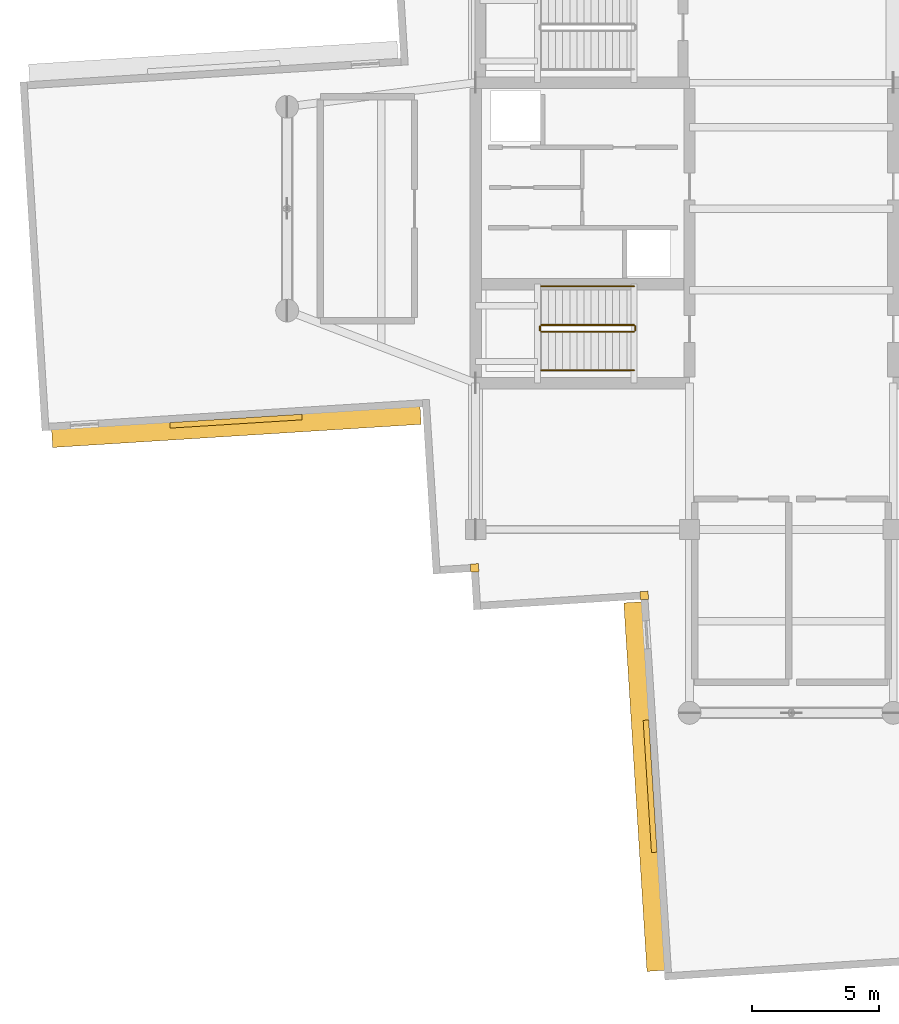
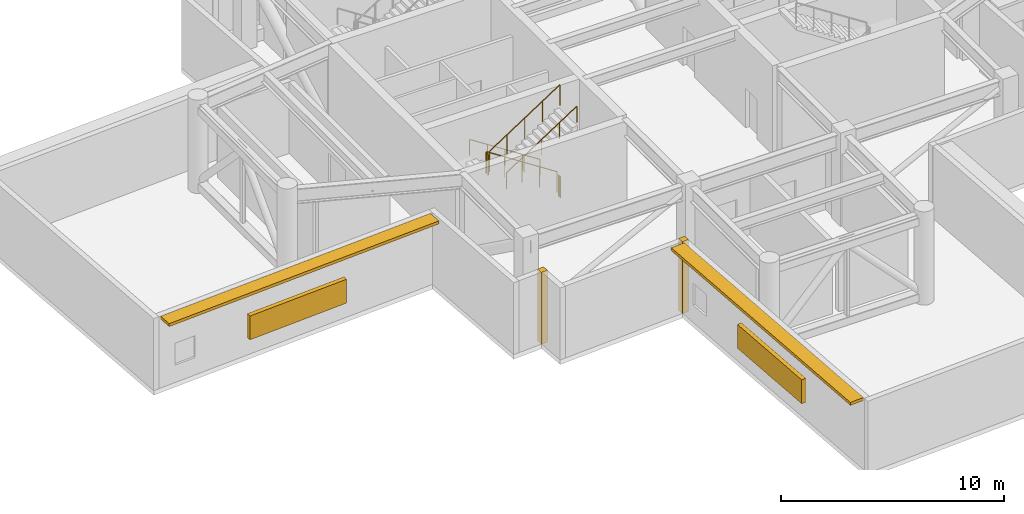
# One storey, part 11 of 14: 6 railings, 4 shading devices, 2 coverings.
"""IFC4 building model written with IfcOpenShell, lengths in metres."""

from ifc_helpers import new_model, si_unit, direction, frame, origin, origin_2d, place, context, subcontext, project, spatial, rectangle, circle, extrude, material, layer, layer_set, type_object, element, save


model = new_model("IFC4")

# Units and contexts
model_context = context("Model", 3, precision=1e-05, world=origin(), true_north=direction((0.0, 1.0)))
body_context = subcontext(model_context, "Body", "Model", "MODEL_VIEW")
ifc_project = project(units=[si_unit("LENGTHUNIT", "METRE"), si_unit("AREAUNIT", "SQUARE_METRE"), si_unit("VOLUMEUNIT", "CUBIC_METRE"), si_unit("PLANEANGLEUNIT", "RADIAN"), si_unit("MASSUNIT", "GRAM", prefix="KILO")], contexts=[model_context])

# Site, building, storey
site_placement = place(None, origin())
site = spatial("IfcSite", under=ifc_project, at=site_placement, CompositionType="ELEMENT")
building_placement = place(site_placement, origin())
building = spatial("IfcBuilding", under=site, at=building_placement, Name="Qingluan Cross Belvedere", CompositionType="ELEMENT")
storey_placement = place(building_placement, frame((0.0, 0.0, 288.89990234375)))
storey = spatial("IfcBuildingStorey", under=building, at=storey_placement, Name="L72", CompositionType="ELEMENT", Elevation=288.89990234375)

# Coverings
ifc_material_1 = material(Name="Precast concrete C45", Category="concrete")
ifc_layer_1 = layer(ifc_material_1, 0.1201171875, Name="ConcreteSpandrelCladding_120")
ifc_layer_set_1 = layer_set([ifc_layer_1], Name="Precast concrete C45")
covering_type = type_object("IfcCoveringType", Name="ConcreteSpandrelCladding_120", PredefinedType="CLADDING", material=ifc_layer_set_1)
for number, where, z_axis, x_axis, name in (
    (1, (-12.438720703125, -14.10888671875, 0.0), (0.0, 0.0, 1.0), (0.998026728428, 0.062790519529, 0.0), "Corner closure L72-SW1"),
    (2, (-5.77734375, -15.192626953125, 0.0), (0.0, 0.0, 1.0), (0.998026728428, 0.062790519529, 0.0), "Corner closure L72-SW2"),
):
    element("IfcCovering", number, at=place(storey_placement, frame(where, z_axis=z_axis, x_axis=x_axis)), inside=storey, type_object=covering_type, Name=name, PredefinedType="CLADDING", context=body_context, shape_type="SweptSolid", body=[
        extrude(rectangle(XDim=0.320068359375, YDim=0.320068359375, at=origin_2d()), origin(), (0.0, 0.0, 1.0), 3.929931640625),
    ])

# Shading devices
ifc_material_2 = material(Name="Precast concrete C45", Category="concrete")
ifc_layer_2 = layer(ifc_material_2, 0.139892578125, Name="ConcreteSunshadeBand_700")
ifc_layer_set_2 = layer_set([ifc_layer_2], Name="Precast concrete C45")
shading_device_type_1 = type_object("IfcShadingDeviceType", Name="ConcreteSunshadeBand_700", PredefinedType="USERDEFINED", material=ifc_layer_set_2)
for number, where, z_axis, x_axis, name in (
    (3, (-21.794677734375, -8.575439453125, 3.75), (0.0, 0.0, 1.0), (0.99802639199, 0.062795866837, 0.0), "Concrete SUNSHADE L72-WB"),
    (4, (-5.776123046875, -22.697509765625, 3.75), (0.0, 0.0, 1.0), (0.062789090939, -0.998026818306, 0.0), "Concrete SUNSHADE L72-SA"),
):
    element("IfcShadingDevice", number, at=place(storey_placement, frame(where, z_axis=z_axis, x_axis=x_axis)), inside=storey, type_object=shading_device_type_1, Name=name, ObjectType="SUNSHADE", PredefinedType="USERDEFINED", context=body_context, shape_type="SweptSolid", body=[
        extrude(rectangle(XDim=14.5, YDim=0.699951171875, at=origin_2d()), origin(), (0.0, 0.0, 1.0), 0.159912109375),
    ])
ifc_material_3 = material(Name="Anodised aluminium acoustic louvre screen", Category="aluminium")
ifc_layer_3 = layer(ifc_material_3, 0.219970703125, Name="RefugeAcousticLouvre_Screen")
ifc_layer_set_3 = layer_set([ifc_layer_3], Name="Anodised aluminium acoustic louvre screen")
shading_device_type_2 = type_object("IfcShadingDeviceType", Name="RefugeAcousticLouvre_Screen", PredefinedType="JALOUSIE", material=ifc_layer_set_3)
for number, where, z_axis, x_axis, name in (
    (5, (-21.80908203125, -8.345947265625, 0.9501953125), (0.0, 0.0, 1.0), (0.99802639199, 0.062795866837, 0.0), "Plant acoustic louvre SCREEN L72-WB"),
    (6, (-5.546630859375, -22.68310546875, 0.9501953125), (0.0, 0.0, 1.0), (0.062789090939, -0.998026818306, 0.0), "Plant acoustic louvre SCREEN L72-SA"),
):
    element("IfcShadingDevice", number, at=place(storey_placement, frame(where, z_axis=z_axis, x_axis=x_axis)), inside=storey, type_object=shading_device_type_2, Name=name, PredefinedType="JALOUSIE", context=body_context, shape_type="SweptSolid", body=[
        extrude(rectangle(XDim=5.199951171875, YDim=0.219970703125, at=origin_2d()), origin(), (0.0, 0.0, 1.0), 1.300048828125),
    ])

# Railings
ifc_material_4 = material(Name="Brushed stainless steel tubular handrail", Category="steel")
railing_type_1 = type_object("IfcRailingType", Name="StairPitchHandrail_900", PredefinedType="HANDRAIL", material=ifc_material_4)
railing_1_placement = place(storey_placement, frame((-6.179931640625, -3.050048828125, 0.18212890625)))
element("IfcRailing", 7, at=railing_1_placement, inside=storey, type_object=railing_type_1, Name="L72 ST1 stair handrail 1", PredefinedType="HANDRAIL", context=body_context, shape_type="SweptSolid", body=[
    extrude(circle(Radius=0.02392578125, at=origin_2d()), frame((0.0, 0.0, 0.8759765625), z_axis=(-0.83825089185, 0.0, 0.545284735081), x_axis=(0.0, -1.0, 0.0)), (0.0, 0.0, 1.0), 4.342529296875),
    extrude(circle(Radius=0.02099609375, at=origin_2d()), origin(), (0.0, 0.0, 1.0), 0.851806640625),
    extrude(circle(Radius=0.02099609375, at=origin_2d()), frame((-0.91015625, 0.0, 0.592041015625)), (0.0, 0.0, 1.0), 0.851806640625),
    extrude(circle(Radius=0.02099609375, at=origin_2d()), frame((-1.820068359375, 0.0, 1.18408203125)), (0.0, 0.0, 1.0), 0.851806640625),
    extrude(circle(Radius=0.02099609375, at=origin_2d()), frame((-2.72998046875, 0.0, 1.77587890625)), (0.0, 0.0, 1.0), 0.851806640625),
    extrude(circle(Radius=0.02099609375, at=origin_2d()), frame((-3.64013671875, 0.0, 2.367919921875)), (0.0, 0.0, 1.0), 0.851806640625),
])
railing_2_placement = place(storey_placement, frame((-9.820068359375, -6.35009765625, 2.732177734375)))
element("IfcRailing", 8, at=railing_2_placement, inside=storey, type_object=railing_type_1, Name="L72 ST1 stair handrail 2", PredefinedType="HANDRAIL", context=body_context, shape_type="SweptSolid", body=[
    extrude(circle(Radius=0.02392578125, at=origin_2d()), frame((0.0, 0.0, 0.8759765625), z_axis=(0.83825089185, 0.0, 0.545284735081), x_axis=(0.0, 1.0, 0.0)), (0.0, 0.0, 1.0), 4.342529296875),
    extrude(circle(Radius=0.02099609375, at=origin_2d()), origin(), (0.0, 0.0, 1.0), 0.851806640625),
    extrude(circle(Radius=0.02099609375, at=origin_2d()), frame((0.91015625, 0.0, 0.592041015625)), (0.0, 0.0, 1.0), 0.851806640625),
    extrude(circle(Radius=0.02099609375, at=origin_2d()), frame((1.820068359375, 0.0, 1.18408203125)), (0.0, 0.0, 1.0), 0.851806640625),
    extrude(circle(Radius=0.02099609375, at=origin_2d()), frame((2.72998046875, 0.0, 1.77587890625)), (0.0, 0.0, 1.0), 0.851806640625),
    extrude(circle(Radius=0.02099609375, at=origin_2d()), frame((3.64013671875, 0.0, 2.367919921875)), (0.0, 0.0, 1.0), 0.851806640625),
])
ifc_material_5 = material(Name="Painted steel stair well guard", Category="steel")
railing_type_2 = type_object("IfcRailingType", Name="StairWellGuard_1150", PredefinedType="BALUSTRADE", material=ifc_material_5)
railing_3_placement = place(storey_placement, frame((-6.179931640625, -4.570068359375, 0.18212890625)))
element("IfcRailing", 9, at=railing_3_placement, inside=storey, type_object=railing_type_2, Name="L72 ST1 stair guard 1", PredefinedType="BALUSTRADE", context=body_context, shape_type="SweptSolid", body=[
    extrude(circle(Radius=0.02392578125, at=origin_2d()), frame((0.0, 0.0, 1.1259765625), z_axis=(-0.83825089185, 0.0, 0.545284735081), x_axis=(0.0, -1.0, 0.0)), (0.0, 0.0, 1.0), 4.342529296875),
    extrude(circle(Radius=0.02099609375, at=origin_2d()), origin(), (0.0, 0.0, 1.0), 1.101806640625),
    extrude(circle(Radius=0.02099609375, at=origin_2d()), frame((-0.91015625, 0.0, 0.592041015625)), (0.0, 0.0, 1.0), 1.101806640625),
    extrude(circle(Radius=0.02099609375, at=origin_2d()), frame((-1.820068359375, 0.0, 1.18408203125)), (0.0, 0.0, 1.0), 1.101806640625),
    extrude(circle(Radius=0.02099609375, at=origin_2d()), frame((-2.72998046875, 0.0, 1.77587890625)), (0.0, 0.0, 1.0), 1.101806640625),
    extrude(circle(Radius=0.02099609375, at=origin_2d()), frame((-3.64013671875, 0.0, 2.367919921875)), (0.0, 0.0, 1.0), 1.101806640625),
])
railing_4_placement = place(storey_placement, frame((-9.8701171875, -4.6201171875, 2.550048828125)))
element("IfcRailing", 10, at=railing_4_placement, inside=storey, type_object=railing_type_2, Name="L72 ST1 stair guard 2", PredefinedType="BALUSTRADE", context=body_context, shape_type="SweptSolid", body=[
    extrude(circle(Radius=0.02392578125, at=origin_2d()), frame((0.0, 0.0, 1.1259765625), z_axis=(0.0, -1.0, 0.0), x_axis=(1.0, 0.0, 0.0)), (0.0, 0.0, 1.0), 0.159912109375),
    extrude(circle(Radius=0.02099609375, at=origin_2d()), origin(), (0.0, 0.0, 1.0), 1.101806640625),
    extrude(circle(Radius=0.02099609375, at=origin_2d()), frame((0.0, -0.159912109375, 0.0)), (0.0, 0.0, 1.0), 1.101806640625),
])
railing_5_placement = place(storey_placement, frame((-9.820068359375, -4.830078125, 2.732177734375)))
element("IfcRailing", 11, at=railing_5_placement, inside=storey, type_object=railing_type_2, Name="L72 ST1 stair guard 3", PredefinedType="BALUSTRADE", context=body_context, shape_type="SweptSolid", body=[
    extrude(circle(Radius=0.02392578125, at=origin_2d()), frame((0.0, 0.0, 1.1259765625), z_axis=(0.83825089185, 0.0, 0.545284735081), x_axis=(0.0, 1.0, 0.0)), (0.0, 0.0, 1.0), 4.342529296875),
    extrude(circle(Radius=0.02099609375, at=origin_2d()), origin(), (0.0, 0.0, 1.0), 1.101806640625),
    extrude(circle(Radius=0.02099609375, at=origin_2d()), frame((0.91015625, 0.0, 0.592041015625)), (0.0, 0.0, 1.0), 1.101806640625),
    extrude(circle(Radius=0.02099609375, at=origin_2d()), frame((1.820068359375, 0.0, 1.18408203125)), (0.0, 0.0, 1.0), 1.101806640625),
    extrude(circle(Radius=0.02099609375, at=origin_2d()), frame((2.72998046875, 0.0, 1.77587890625)), (0.0, 0.0, 1.0), 1.101806640625),
    extrude(circle(Radius=0.02099609375, at=origin_2d()), frame((3.64013671875, 0.0, 2.367919921875)), (0.0, 0.0, 1.0), 1.101806640625),
])
railing_6_placement = place(storey_placement, frame((-6.1298828125, -4.6201171875, 0.0)))
element("IfcRailing", 12, at=railing_6_placement, inside=storey, type_object=railing_type_2, Name="L72 ST1 stair guard 4", PredefinedType="BALUSTRADE", context=body_context, shape_type="SweptSolid", body=[
    extrude(circle(Radius=0.02392578125, at=origin_2d()), frame((0.0, 0.0, 1.1259765625), z_axis=(0.0, -1.0, 0.0), x_axis=(1.0, 0.0, 0.0)), (0.0, 0.0, 1.0), 0.159912109375),
    extrude(circle(Radius=0.02099609375, at=origin_2d()), origin(), (0.0, 0.0, 1.0), 1.101806640625),
    extrude(circle(Radius=0.02099609375, at=origin_2d()), frame((0.0, -0.159912109375, 0.0)), (0.0, 0.0, 1.0), 1.101806640625),
])

save(model, "model.ifc")
